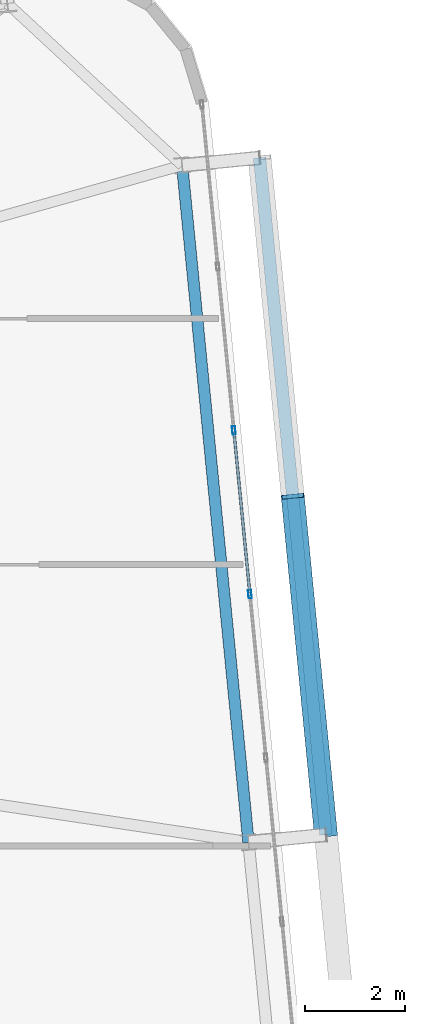
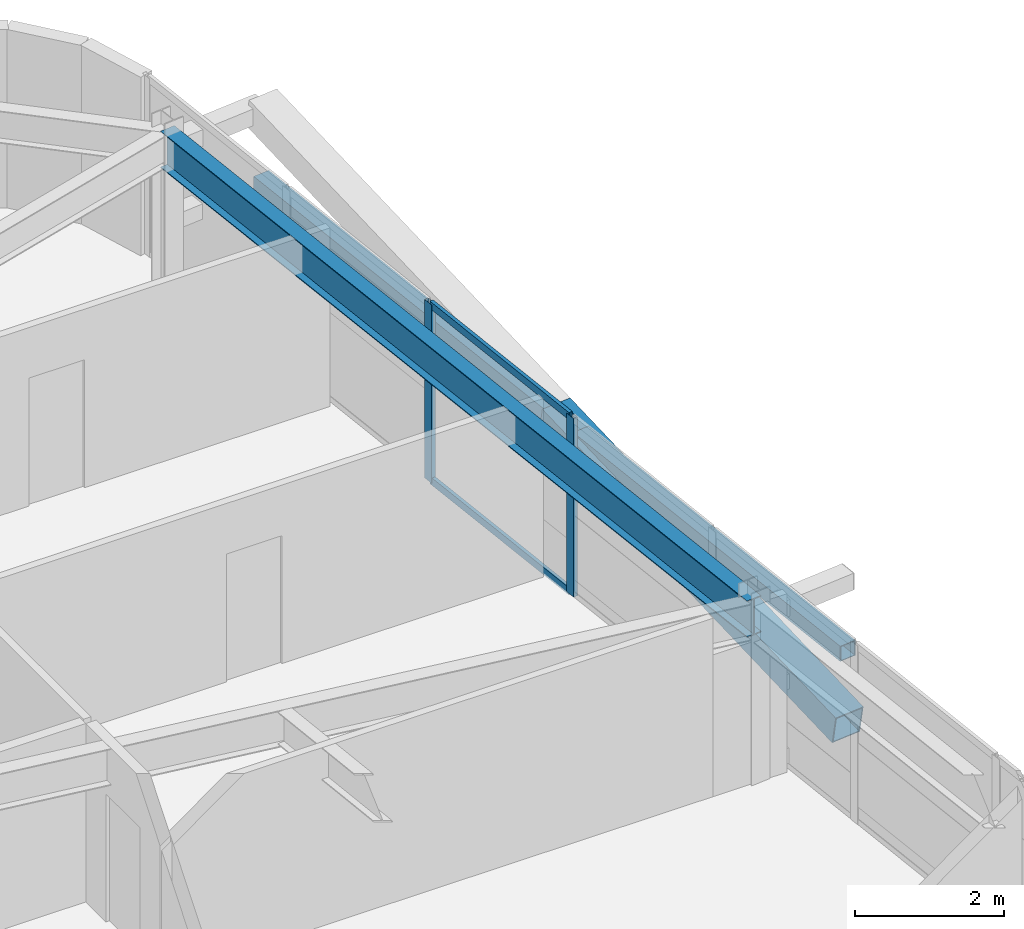
# One storey, part 26 of 53: 6 members, 1 beam, 1 element without a shape of its own.
"""IFC4 building model written with IfcOpenShell, lengths in metres."""

from ifc_helpers import new_model, si_unit, direction, frame, origin, origin_2d, place, context, subcontext, project, spatial, hollow_rectangle, i_section, extrude, source, transform, mapped, material, layer, layer_set, material_profile, profile_set, type_object, element, aggregate, save


model = new_model("IFC4")

# Units and contexts
model_context = context("Model", 3, precision=1e-05, world=origin(), true_north=direction((0.0, 1.0)))
body_context = subcontext(model_context, "Body", "Model", "MODEL_VIEW")
ifc_project = project(units=[si_unit("LENGTHUNIT", "METRE"), si_unit("AREAUNIT", "SQUARE_METRE"), si_unit("VOLUMEUNIT", "CUBIC_METRE"), si_unit("PLANEANGLEUNIT", "RADIAN"), si_unit("MASSUNIT", "GRAM", prefix="KILO")], contexts=[model_context])

# Site, building, storey
site_placement = place(None, origin())
site = spatial("IfcSite", under=ifc_project, at=site_placement, CompositionType="ELEMENT")
building_placement = place(site_placement, origin())
building = spatial("IfcBuilding", under=site, at=building_placement, Name="Taldren Reach Tower", CompositionType="ELEMENT")
storey_placement = place(building_placement, frame((0.0, 0.0, 71.39990234375)))
storey = spatial("IfcBuildingStorey", under=building, at=storey_placement, Name="L21", CompositionType="ELEMENT", Elevation=71.39990234375)

# Beam
ifc_material_1 = material(Name="Steel Gr 350 (350PLUS)", Category="steel")
ifc_material_profile_1 = material_profile(ifc_material_1, i_section(OverallWidth=0.22802734375, OverallDepth=0.60205078125, WebThickness=0.010498046875, FlangeThickness=0.014892578125, at=origin_2d()), Name="610UB101")
ifc_profile_set_1 = profile_set([ifc_material_profile_1], Name="Steel Gr 350 (350PLUS)")
beam_type = type_object("IfcBeamType", Name="BM-UB610B", PredefinedType="BEAM", material=ifc_profile_set_1)
shared_shape_1 = source(origin(), body_context, "Body", "SweptSolid", [
    extrude(i_section(OverallWidth=0.22802734375, OverallDepth=0.60205078125, WebThickness=0.010498046875, FlangeThickness=0.014892578125, at=origin_2d()), origin(), (0.0, 0.0, 1.0), 13.550048828125),
])
beam_placement = place(storey_placement, frame((64.569580078125, 21.968994140625, 2.629150390625), z_axis=(-0.097584021339, 0.995227290009, 0.0), x_axis=(-0.995227290009, -0.097584021339, 0.0)))
element("IfcBeam", 1, at=beam_placement, inside=storey, type_object=beam_type, Name="Perimeter gable girder B2 E2-E3 L21", PredefinedType="BEAM", context=body_context, shape_type="MappedRepresentation", body=[
    mapped(shared_shape_1, transform((0.0, 0.0, 0.0), scale=1.0)),
])

# Members
ifc_material_2 = material(Name="Steel Gr 450 (C450L0)", Category="steel")
ifc_material_profile_2 = material_profile(ifc_material_2, hollow_rectangle(XDim=0.4599609375, YDim=0.4599609375, WallThickness=0.01611328125, at=origin_2d()), Name="460x460x16.0SHS")
ifc_profile_set_2 = profile_set([ifc_material_profile_2], Name="Steel Gr 450 (C450L0)")
member_type_1 = type_object("IfcMemberType", Name="MB-EXO457", PredefinedType="BRACE", material=ifc_profile_set_2)
shared_shape_2 = source(origin(), body_context, "Body", "SweptSolid", [
    extrude(hollow_rectangle(XDim=0.4599609375, YDim=0.4599609375, WallThickness=0.01611328125, at=origin_2d()), origin(), (0.0, 0.0, 1.0), 6.883056640625),
])
member_1_placement = place(storey_placement, frame((66.112060546875, 22.1201171875, 0.22021484375), z_axis=(-0.096052059581, 0.979603316657, 0.176497432967), x_axis=(-0.995227290009, -0.097584021339, 0.0)))
element("IfcMember", 2, at=member_1_placement, inside=storey, type_object=member_type_1, Name="Exoskeleton Diagrid Brace B2-E2 L21", PredefinedType="BRACE", context=body_context, shape_type="MappedRepresentation", body=[
    mapped(shared_shape_2, transform((0.0, 0.0, 0.0), scale=1.0)),
])
ifc_material_3 = material(Name="Steel Gr 350 (C350L0)", Category="steel")
ifc_material_profile_3 = material_profile(ifc_material_3, hollow_rectangle(XDim=0.25, YDim=0.25, WallThickness=0.010009765625, at=origin_2d()), Name="250x250x10.0SHS")
ifc_profile_set_3 = profile_set([ifc_material_profile_3], Name="Steel Gr 350 (C350L0)")
member_type_2 = type_object("IfcMemberType", Name="MB-POST250", PredefinedType="POST", material=ifc_profile_set_3)
shared_shape_3 = source(origin(), body_context, "Body", "SweptSolid", [
    extrude(hollow_rectangle(XDim=0.25, YDim=0.25, WallThickness=0.010009765625, at=origin_2d()), origin(), (0.0, 0.0, 1.0), 13.550048828125),
])
member_2_placement = place(storey_placement, frame((66.112060546875, 22.1201171875, 1.43505859375), z_axis=(-0.097584021339, 0.995227290009, 0.0), x_axis=(-0.995227290009, -0.097584021339, 0.0)))
element("IfcMember", 3, at=member_2_placement, inside=storey, type_object=member_type_2, Name="Exoskeleton mid-height ring chord B2-E2 L21", PredefinedType="POST", context=body_context, shape_type="MappedRepresentation", body=[
    mapped(shared_shape_3, transform((0.0, 0.0, 0.0), scale=1.0)),
])

# Curtain wall, members
ifc_material_4 = material(Name="Aluminium and Low-E Glass Unitised System", Category="aluminium")
ifc_layer = layer(ifc_material_4, 0.159912109375)
ifc_layer_set = layer_set([ifc_layer], Name="Aluminium and Low-E Glass Unitised System")
curtain_wall_type = type_object("IfcCurtainWallType", Name="CW-SYS-3", PredefinedType="NOTDEFINED", material=ifc_layer_set)
curtain_wall_placement = place(storey_placement, origin())
curtain_wall = element("IfcCurtainWall", 4, at=curtain_wall_placement, inside=storey, type_object=curtain_wall_type, Name="Unitised curtain wall CW-L21-E", PredefinedType="NOTDEFINED")
ifc_material_5 = material(Name="Anodised Aluminium 6063-T6", Category="aluminium")
ifc_material_profile_4 = material_profile(ifc_material_5, hollow_rectangle(XDim=0.06494140625, YDim=0.1650390625, WallThickness=0.00390625, at=origin_2d()), Name="ALU-165x65x4RHS")
ifc_profile_set_4 = profile_set([ifc_material_profile_4], Name="Anodised Aluminium 6063-T6")
member_type_3 = type_object("IfcMemberType", Name="CW-MUL-165", PredefinedType="MULLION", material=ifc_profile_set_4)
shared_shape_4 = source(origin(), body_context, "Body", "SweptSolid", [
    extrude(hollow_rectangle(XDim=0.06494140625, YDim=0.1650390625, WallThickness=0.00390625, at=origin_2d()), origin(), (0.0, 0.0, 1.0), 2.93017578125),
])
member_3_placement = place(storey_placement, frame((64.59716796875, 26.911865234375, 0.0), z_axis=(0.0, 0.0, 1.0), x_axis=(-0.99522741555, -0.09758274098, 0.0)))
member_3 = element("IfcMember", 5, at=member_3_placement, type_object=member_type_3, Name="CW-3 mullion 7", PredefinedType="MULLION", context=body_context, shape_type="MappedRepresentation", body=[
    mapped(shared_shape_4, transform((0.0, 0.0, 0.0), scale=1.0)),
])
member_4_placement = place(storey_placement, frame((64.27734375, 30.174072265625, 0.0), z_axis=(0.0, 0.0, 1.0), x_axis=(-0.99522741555, -0.09758274098, 0.0)))
member_4 = element("IfcMember", 6, at=member_4_placement, type_object=member_type_3, Name="CW-3 mullion 8", PredefinedType="MULLION", context=body_context, shape_type="MappedRepresentation", body=[
    mapped(shared_shape_4, transform((0.0, 0.0, 0.0), scale=1.0)),
])
ifc_material_profile_5 = material_profile(ifc_material_5, hollow_rectangle(XDim=0.054931640625, YDim=0.1201171875, WallThickness=0.0029296875, at=origin_2d()), Name="ALU-120x55x3RHS")
ifc_profile_set_5 = profile_set([ifc_material_profile_5], Name="Anodised Aluminium 6063-T6")
member_type_4 = type_object("IfcMemberType", Name="CW-TRN-135", PredefinedType="USERDEFINED", material=ifc_profile_set_5)
shared_shape_5 = source(origin(), body_context, "Body", "SweptSolid", [
    extrude(hollow_rectangle(XDim=0.054931640625, YDim=0.1201171875, WallThickness=0.0029296875, at=origin_2d()), origin(), (0.0, 0.0, 1.0), 3.212890625),
])
member_5_placement = place(storey_placement, frame((64.593994140625, 26.944091796875, 0.027587890625), z_axis=(-0.097569948235, 0.995228669805, 0.0), x_axis=(-0.995228669805, -0.097569948235, 0.0)))
member_5 = element("IfcMember", 7, at=member_5_placement, type_object=member_type_4, Name="CW-3 transom 7.1", ObjectType="TRANSOM", PredefinedType="USERDEFINED", context=body_context, shape_type="MappedRepresentation", body=[
    mapped(shared_shape_5, transform((0.0, 0.0, 0.0), scale=1.0)),
])
member_6_placement = place(storey_placement, frame((64.593994140625, 26.944091796875, 2.902587890625), z_axis=(-0.097569948235, 0.995228669805, 0.0), x_axis=(-0.995228669805, -0.097569948235, 0.0)))
member_6 = element("IfcMember", 8, at=member_6_placement, type_object=member_type_4, Name="CW-3 transom 7.2", ObjectType="TRANSOM", PredefinedType="USERDEFINED", context=body_context, shape_type="MappedRepresentation", body=[
    mapped(shared_shape_5, transform((0.0, 0.0, 0.0), scale=1.0)),
])
aggregate(curtain_wall, [member_3, member_4, member_5, member_6])

save(model, "model.ifc")
